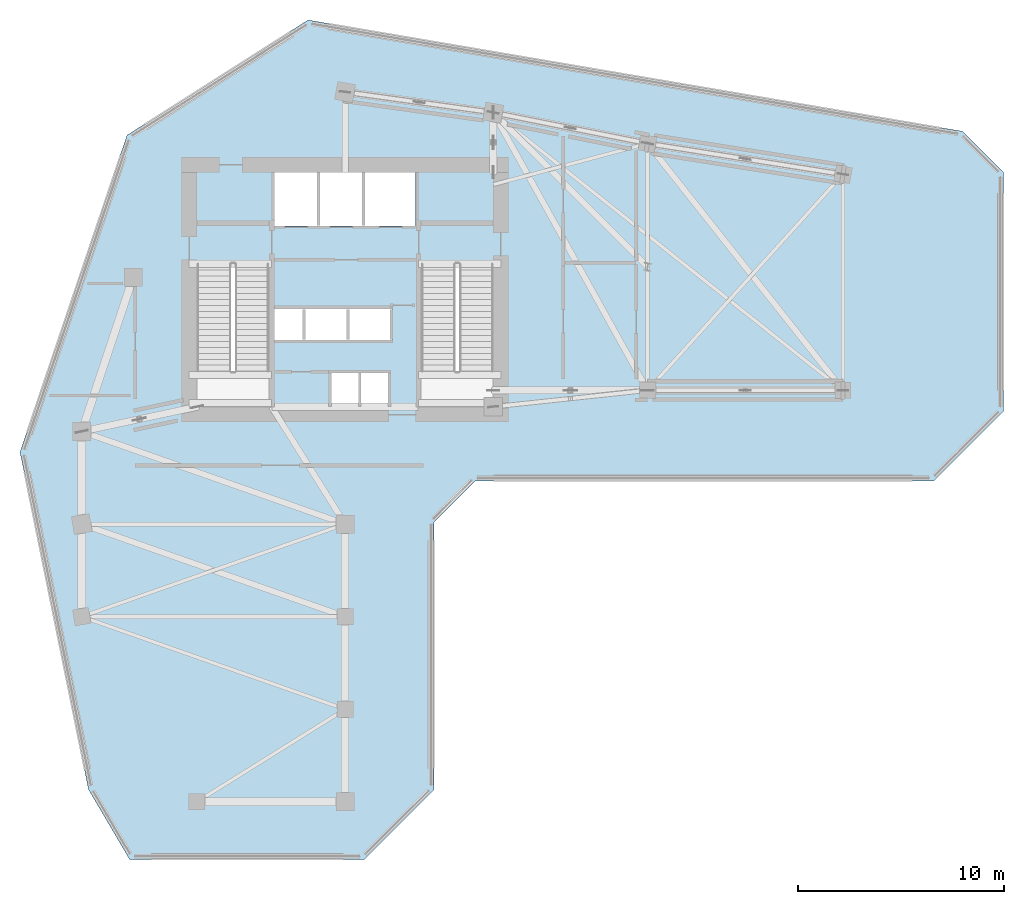
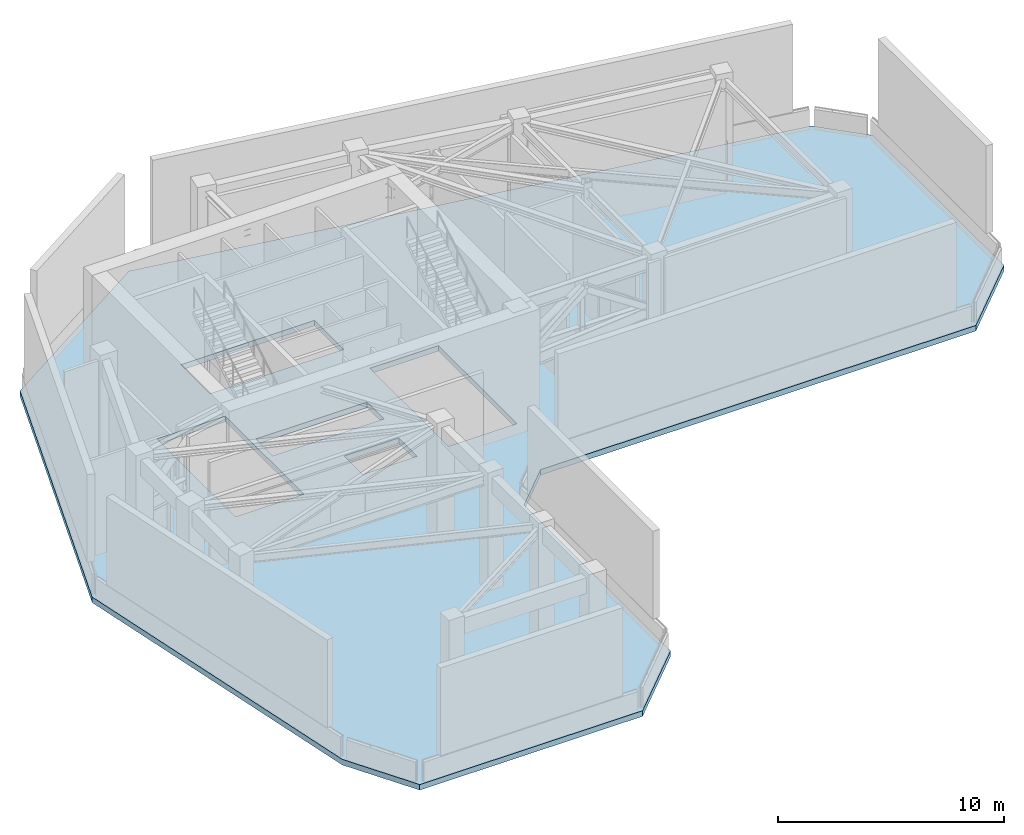
# One storey, part 4 of 10: 1 slab.
"""IFC4 building model written with IfcOpenShell, lengths in metres."""

from ifc_helpers import new_model, si_unit, direction, frame, origin, place, context, subcontext, project, spatial, polyline, outline, extrude, material, layer, layer_set, type_object, element, save


model = new_model("IFC4")

# Units and contexts
model_context = context("Model", 3, precision=1e-05, world=origin(), true_north=direction((0.0, 1.0)))
body_context = subcontext(model_context, "Body", "Model", "MODEL_VIEW")
ifc_project = project(units=[si_unit("LENGTHUNIT", "METRE"), si_unit("AREAUNIT", "SQUARE_METRE"), si_unit("VOLUMEUNIT", "CUBIC_METRE"), si_unit("PLANEANGLEUNIT", "RADIAN"), si_unit("MASSUNIT", "GRAM", prefix="KILO")], contexts=[model_context])

# Site, building, storey
site_placement = place(None, origin())
site = spatial("IfcSite", under=ifc_project, at=site_placement, CompositionType="ELEMENT")
building_placement = place(site_placement, origin())
building = spatial("IfcBuilding", under=site, at=building_placement, Name="Calvemar Wedge Station Tower", CompositionType="ELEMENT")
storey_placement = place(building_placement, frame((0.0, 0.0, 171.800048828125)))
storey = spatial("IfcBuildingStorey", under=building, at=storey_placement, Name="L43", CompositionType="ELEMENT", Elevation=171.800048828125)

# Slab
ifc_material = material(Name="Concrete C50", Category="concrete")
ifc_layer = layer(ifc_material, 0.300048828125)
ifc_layer_set = layer_set([ifc_layer], Name="Concrete C50")
slab_type = type_object("IfcSlabType", Name="SL-REF-300", PredefinedType="FLOOR", material=ifc_layer_set)
slab_placement = place(storey_placement, frame((0.0, 0.0, -0.300048828125)))
element("IfcSlab", 1, at=slab_placement, inside=storey, type_object=slab_type, Name="Storey L43 Structural Floor Slab", PredefinedType="FLOOR", context=body_context, shape_type="SweptSolid", body=[
    extrude(outline(polyline([(8.0, 32.0), (11.327880859375, 15.60009765625), (13.327880859375, 12.199951171875), (24.72802734375, 12.199951171875), (28.1279296875, 15.60009765625), (28.1279296875, 28.592041015625), (30.1279296875, 30.592041015625), (52.39990234375, 30.592041015625), (55.800048828125, 33.991943359375), (55.800048828125, 45.592041015625), (53.800048828125, 47.592041015625), (22.0, 53.0), (13.199951171875, 47.39990234375), (8.0, 32.0)]), holes=[polyline([(24.52001953125, 35.85009765625), (24.510009765625, 35.85009765625), (23.1201171875, 35.85009765625), (23.1201171875, 34.219970703125), (24.510009765625, 34.219970703125), (24.52001953125, 34.219970703125), (25.909912109375, 34.219970703125), (25.909912109375, 35.85009765625), (24.52001953125, 35.85009765625)]), polyline([(16.60009765625, 34.199951171875), (20.10009765625, 34.199951171875), (20.10009765625, 41.14990234375), (16.60009765625, 41.14990234375), (16.60009765625, 34.199951171875)]), polyline([(27.5, 34.199951171875), (31.0, 34.199951171875), (31.0, 41.14990234375), (27.5, 41.14990234375), (27.5, 34.199951171875)]), polyline([(21.800048828125, 38.949951171875), (21.7900390625, 38.949951171875), (20.3798828125, 38.949951171875), (20.3798828125, 37.449951171875), (21.7900390625, 37.449951171875), (21.800048828125, 37.449951171875), (23.929931640625, 37.449951171875), (23.93994140625, 37.449951171875), (26.080078125, 37.449951171875), (26.080078125, 38.949951171875), (23.93994140625, 38.949951171875), (23.929931640625, 38.949951171875), (21.800048828125, 38.949951171875)]), polyline([(27.219970703125, 43.0), (27.219970703125, 45.580078125), (20.3798828125, 45.580078125), (20.3798828125, 43.0), (27.219970703125, 43.0)])]), origin(), (0.0, 0.0, 1.0), 0.300048828125),
])

save(model, "model.ifc")
